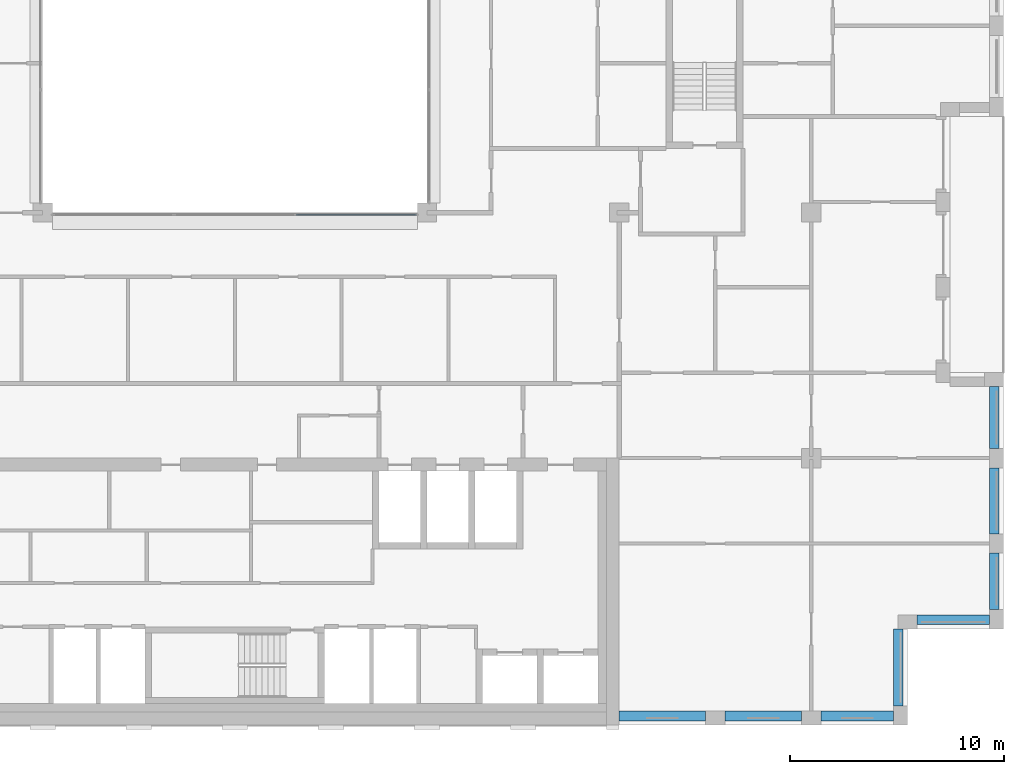
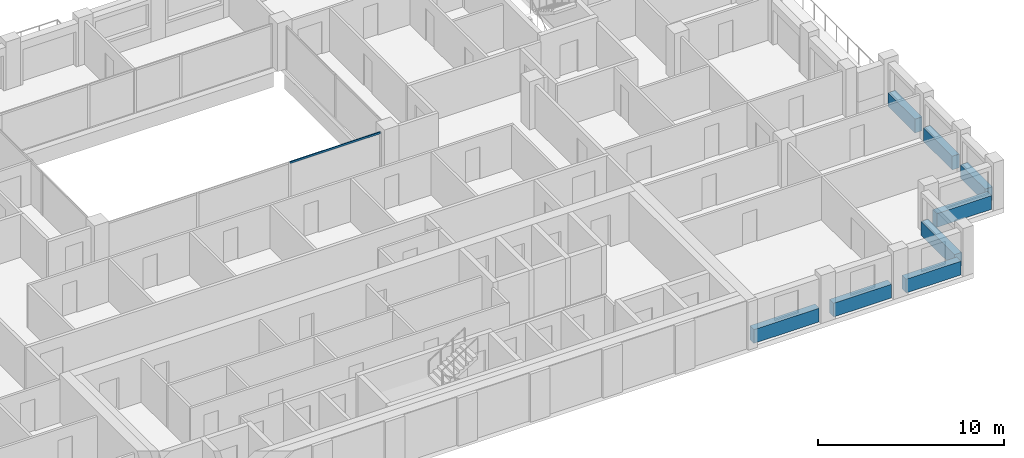
# One storey, part 3 of 15: 8 beams, 1 member, 1 element without a shape of its own.
"""IFC4 building model written with IfcOpenShell, lengths in metres."""

import ifcopenshell
import ifcopenshell.guid

model = None  # the IFC model being written
_history = None  # IfcOwnerHistory: only IFC2X3 demands one
_inside = {}  # id of a spatial element -> (the spatial element, [elements in it])
_under = {}  # id of a project, library or spatial element -> (it, [spatial elements below it])
_declared = {}  # id of a project -> (the project, [libraries it declares])
_typed = {}  # id of a type object -> (the type object, [elements of that type])
_made_of = {}  # id of a material, layer set ... -> (it, [elements and type objects made of it])


def new_model(schema):
    """Start an empty IFC model of exactly this schema.

    Asked for "IFC4X3", IfcOpenShell would pick the latest addendum, in which some entities
    have other attributes; the version numbers below select the first issue.
    IFC2X3 requires an IfcOwnerHistory on every rooted entity: one is made here for all.
    """
    global model, _history
    if schema == "IFC4X3":
        model = ifcopenshell.file(schema_version=(4, 3, 0, 0))
    else:
        model = ifcopenshell.file(schema=schema)
    _inside.clear()
    _under.clear()
    _declared.clear()
    _typed.clear()
    _made_of.clear()
    _history = None
    if model.schema == "IFC2X3":
        org = make("IfcOrganization", Name="unknown")
        user = make(
            "IfcPersonAndOrganization",
            ThePerson=make("IfcPerson", FamilyName="unknown"),
            TheOrganization=org,
        )
        app = make(
            "IfcApplication",
            ApplicationDeveloper=org,
            Version="unknown",
            ApplicationFullName="unknown",
            ApplicationIdentifier="unknown",
        )
        _history = make(
            "IfcOwnerHistory",
            OwningUser=user,
            OwningApplication=app,
            ChangeAction="ADDED",
            CreationDate=0,
        )
    return model


def make(cls, **values):
    """One entity of the class cls with the attributes given. An attribute that is None is left unset."""
    return model.create_entity(
        cls, **{name: value for name, value in values.items() if value is not None}
    )


def rooted(cls, **values):
    """An entity with a GlobalId (a new one), such as an element, a storey or a relation."""
    return make(cls, GlobalId=ifcopenshell.guid.new(), OwnerHistory=_history, **values)


def si_unit(unit_type, name, prefix=None):
    """IfcSIUnit, for example si_unit("LENGTHUNIT", "METRE", prefix="MILLI")."""
    return make("IfcSIUnit", UnitType=unit_type, Prefix=prefix, Name=name)


def assignment(units):
    """IfcUnitAssignment: the units of a project."""
    return None if units is None else make("IfcUnitAssignment", Units=units)


def point(xyz):
    """IfcCartesianPoint."""
    return None if xyz is None else make("IfcCartesianPoint", Coordinates=xyz)


def direction(xyz):
    """IfcDirection."""
    return None if xyz is None else make("IfcDirection", DirectionRatios=xyz)


def frame(location, z_axis=None, x_axis=None):
    """IfcAxis2Placement3D, a coordinate frame: its origin and axes. An axis left out is left unset."""
    return make(
        "IfcAxis2Placement3D",
        Location=point(location),
        Axis=direction(z_axis),
        RefDirection=direction(x_axis),
    )


def frame_2d(location, x_axis=None):
    """IfcAxis2Placement2D, a coordinate frame in the plane: its origin and x axis."""
    return make(
        "IfcAxis2Placement2D", Location=point(location), RefDirection=direction(x_axis)
    )


def origin():
    """The frame at (0, 0, 0) with its axes left unset."""
    return frame((0.0, 0.0, 0.0))


def origin_2d():
    """The frame at (0, 0) in the plane with its x axis left unset."""
    return frame_2d((0.0, 0.0))


def place(relative_to, where):
    """IfcLocalPlacement: puts the frame where relative to a parent placement (None: the world)."""
    return make(
        "IfcLocalPlacement", PlacementRelTo=relative_to, RelativePlacement=where
    )


def context(
    kind, dimensions, precision=None, world=None, true_north=None, identifier=None
):
    """IfcGeometricRepresentationContext, for example the 3D "Model" context."""
    return make(
        "IfcGeometricRepresentationContext",
        ContextIdentifier=identifier,
        ContextType=kind,
        CoordinateSpaceDimension=dimensions,
        Precision=precision,
        WorldCoordinateSystem=world,
        TrueNorth=true_north,
    )


def subcontext(parent, identifier, kind, view, scale=None):
    """IfcGeometricRepresentationSubContext, for example "Body" below "Model"."""
    return make(
        "IfcGeometricRepresentationSubContext",
        ContextIdentifier=identifier,
        ContextType=kind,
        ParentContext=parent,
        TargetScale=scale,
        TargetView=view,
    )


def project(units=None, contexts=None):
    """IfcProject with its units and contexts."""
    return rooted(
        "IfcProject",
        Name="project",
        RepresentationContexts=contexts,
        UnitsInContext=assignment(units),
    )


def spatial(cls, under=None, at=None, **own):
    """A site, building, storey or space (cls), placed at a placement, below another one or the project."""
    s = rooted(cls, ObjectPlacement=at, **own)
    if under is not None:
        _under.setdefault(under.id(), (under, []))[1].append(s)
    return s


def profile(cls, at=None, kind="AREA", **sizes):
    """A parametric profile (cls). Its sizes go by their IFC names, for example OverallWidth=200.0."""
    return make(cls, ProfileType=kind, Position=at, **sizes)


def rectangle(**sizes):
    """IfcRectangleProfileDef."""
    return profile("IfcRectangleProfileDef", **sizes)


def extrude(swept, where, along, depth):
    """IfcExtrudedAreaSolid: the profile swept, set in the frame where, extruded along a direction by depth."""
    return make(
        "IfcExtrudedAreaSolid",
        SweptArea=swept,
        Position=where,
        ExtrudedDirection=direction(along),
        Depth=depth,
    )


def shape(context_of_items, identifier, shape_type, items):
    """IfcShapeRepresentation: the items that make up one representation, for example the "Body"."""
    return make(
        "IfcShapeRepresentation",
        ContextOfItems=context_of_items,
        RepresentationIdentifier=identifier,
        RepresentationType=shape_type,
        Items=items,
    )


def material(Name=None, Category=None):
    """IfcMaterial."""
    return make("IfcMaterial", Name=Name, Category=Category)


def layer(
    of_material, thickness, ventilated=None, Name=None, Category=None, Priority=None
):
    """IfcMaterialLayer: one layer of a wall or slab, of a material (None: an air gap)."""
    return make(
        "IfcMaterialLayer",
        Material=of_material,
        LayerThickness=thickness,
        IsVentilated=ventilated,
        Name=Name,
        Category=Category,
        Priority=Priority,
    )


def layer_set(layers, Name=None):
    """IfcMaterialLayerSet."""
    return make("IfcMaterialLayerSet", MaterialLayers=layers, LayerSetName=Name)


def material_profile(
    of_material, cross_section, Name=None, Category=None, Priority=None
):
    """IfcMaterialProfile: a cross section and its material."""
    return make(
        "IfcMaterialProfile",
        Name=Name,
        Material=of_material,
        Profile=cross_section,
        Priority=Priority,
        Category=Category,
    )


def profile_set(profiles, Name=None, composite=None):
    """IfcMaterialProfileSet."""
    return make(
        "IfcMaterialProfileSet",
        Name=Name,
        MaterialProfiles=profiles,
        CompositeProfile=composite,
    )


def made_of(thing, what):
    """Note that an element or type object is made of a material, layer set ...; save() writes the relation."""
    if what is not None:
        _made_of.setdefault(what.id(), (what, []))[1].append(thing)
    return thing


def type_object(cls, material=None, **own):
    """A type object (cls), such as IfcWallType, which elements share."""
    return made_of(rooted(cls, **own), material)


def element(
    cls,
    number,
    at=None,
    inside=None,
    cuts=None,
    type_object=None,
    material=None,
    context=None,
    identifier="Body",
    shape_type=None,
    held_by="IfcProductDefinitionShape",
    body=None,
    shapes=None,
    **own,
):
    """One element of the class cls, such as IfcWall. Its Tag is "e" and its number.

    at: its placement. inside: the storey or other place that contains it. cuts: it is an
    opening in that element (IfcRelVoidsElement). A single representation is given by context,
    identifier, shape_type and body (its items); several are given by shapes. held_by: the class
    of the entity that holds the representations. save() writes the other relations.
    """
    e = rooted(cls, Tag="e%d" % number, ObjectPlacement=at, **own)
    if body is not None:
        shapes = [shape(context, identifier, shape_type, body)]
    if shapes is not None:
        e.Representation = make(held_by, Representations=shapes)
    if inside is not None:
        _inside.setdefault(inside.id(), (inside, []))[1].append(e)
    if cuts is not None:
        rooted(
            "IfcRelVoidsElement", RelatingBuildingElement=cuts, RelatedOpeningElement=e
        )
    if type_object is not None:
        _typed.setdefault(type_object.id(), (type_object, []))[1].append(e)
    return made_of(e, material)


def aggregate(whole, parts):
    """IfcRelAggregates: a whole, such as a stair, and the parts it consists of."""
    return rooted("IfcRelAggregates", RelatingObject=whole, RelatedObjects=parts)


def save(model, path):
    """Write the relations noted so far, then the file.

    IfcRelAggregates (storeys below a building ...), IfcRelContainedInSpatialStructure (elements
    in a storey), IfcRelDefinesByType, IfcRelAssociatesMaterial and IfcRelDeclares: one each for
    every whole, place, type object, material and project.
    """
    for whole, parts in _under.values():
        aggregate(whole, parts)
    for where, things in _inside.values():
        rooted(
            "IfcRelContainedInSpatialStructure",
            RelatedElements=things,
            RelatingStructure=where,
        )
    for kind, things in _typed.values():
        rooted("IfcRelDefinesByType", RelatedObjects=things, RelatingType=kind)
    for what, things in _made_of.values():
        rooted("IfcRelAssociatesMaterial", RelatedObjects=things, RelatingMaterial=what)
    for by, libraries in _declared.values():
        rooted("IfcRelDeclares", RelatingContext=by, RelatedDefinitions=libraries)
    model.write(path)


model = new_model("IFC4")

# Units and contexts
model_context = context("Model", 3, precision=1e-05, world=origin(), true_north=direction((0.0, 1.0)))
body_context = subcontext(model_context, "Body", "Model", "MODEL_VIEW")
ifc_project = project(units=[si_unit("LENGTHUNIT", "METRE"), si_unit("AREAUNIT", "SQUARE_METRE"), si_unit("VOLUMEUNIT", "CUBIC_METRE"), si_unit("PLANEANGLEUNIT", "RADIAN"), si_unit("MASSUNIT", "GRAM", prefix="KILO")], contexts=[model_context])

# Site, building, storey
site_placement = place(None, origin())
site = spatial("IfcSite", under=ifc_project, at=site_placement, CompositionType="ELEMENT")
building_placement = place(site_placement, origin())
building = spatial("IfcBuilding", under=site, at=building_placement, Name="Brigalow Station Residences", CompositionType="ELEMENT")
storey_placement = place(building_placement, frame((0.0, 0.0, 210.60009765625)))
storey = spatial("IfcBuildingStorey", under=building, at=storey_placement, Name="L60", CompositionType="ELEMENT", Elevation=210.60009765625)

# Curtain wall, member
ifc_material_1 = material(Name="Aluminium", Category="aluminium")
ifc_layer = layer(ifc_material_1, 0.14990234375)
ifc_layer_set = layer_set([ifc_layer], Name="ATRIUM FIRE-RATED GLAZING CURTAIN WALL")
curtain_wall_type = type_object("IfcCurtainWallType", Name="ATRIUM FIRE-RATED GLAZING CURTAIN WALL", PredefinedType="NOTDEFINED", material=ifc_layer_set)
curtain_wall_placement = place(storey_placement, origin())
curtain_wall = element("IfcCurtainWall", 1, at=curtain_wall_placement, inside=storey, type_object=curtain_wall_type, Name="L60/cw/atrium-S", PredefinedType="NOTDEFINED")
ifc_material_2 = material(Name="Aluminium", Category="aluminium")
ifc_material_profile_1 = material_profile(ifc_material_2, rectangle(XDim=0.06005859375, YDim=0.1201171875, at=origin_2d()), Name="ATRIUM FIRE-RATED GLAZING TRANSOM 60x120")
ifc_profile_set_1 = profile_set([ifc_material_profile_1], Name="Aluminium")
member_type = type_object("IfcMemberType", Name="ATRIUM FIRE-RATED GLAZING TRANSOM 60x120", PredefinedType="USERDEFINED", material=ifc_profile_set_1)
member_placement = place(storey_placement, frame((38.8798828125, 23.89990234375, 2.7998046875), z_axis=(1.0, 0.0, 0.0), x_axis=(0.0, 1.0, 0.0)))
member = element("IfcMember", 2, at=member_placement, type_object=member_type, Name="L60/cw/atrium-S/T02-00", ObjectType="TRANSOM", PredefinedType="USERDEFINED", context=body_context, shape_type="SweptSolid", body=[
    extrude(rectangle(XDim=0.06005859375, YDim=0.1201171875, at=origin_2d()), origin(), (0.0, 0.0, 1.0), 5.610107421875),
])
aggregate(curtain_wall, [member])

# Beams
ifc_material_3 = material(Name="Concrete C50", Category="concrete")
ifc_material_profile_2 = material_profile(ifc_material_3, rectangle(XDim=0.449951171875, YDim=0.89990234375, at=origin_2d()), Name="RC450x900")
ifc_profile_set_2 = profile_set([ifc_material_profile_2], Name="Concrete C50")
beam_type = type_object("IfcBeamType", Name="SPANDREL BEAM 450x900 C50", PredefinedType="SPANDREL", material=ifc_profile_set_2)
beam_1_placement = place(storey_placement, frame((54.0, 0.425048828125, 0.449951171875), z_axis=(1.0, 0.0, 0.0), x_axis=(0.0, 1.0, 0.0)))
element("IfcBeam", 3, at=beam_1_placement, inside=storey, type_object=beam_type, Name="L60/spandrel/W-L60-3", PredefinedType="SPANDREL", context=body_context, shape_type="SweptSolid", body=[
    extrude(rectangle(XDim=0.449951171875, YDim=0.89990234375, at=origin_2d()), origin(), (0.0, 0.0, 1.0), 4.050048828125),
])
beam_2_placement = place(storey_placement, frame((58.949951171875, 0.425048828125, 0.449951171875), z_axis=(1.0, 0.0, 0.0), x_axis=(0.0, 1.0, 0.0)))
element("IfcBeam", 4, at=beam_2_placement, inside=storey, type_object=beam_type, Name="L60/spandrel/W-L60-4", PredefinedType="SPANDREL", context=body_context, shape_type="SweptSolid", body=[
    extrude(rectangle(XDim=0.449951171875, YDim=0.89990234375, at=origin_2d()), origin(), (0.0, 0.0, 1.0), 3.60009765625),
])
beam_3_placement = place(storey_placement, frame((63.449951171875, 0.425048828125, 0.449951171875), z_axis=(1.0, 0.0, 0.0), x_axis=(0.0, 1.0, 0.0)))
element("IfcBeam", 5, at=beam_3_placement, inside=storey, type_object=beam_type, Name="L60/spandrel/W-L60-5", PredefinedType="SPANDREL", context=body_context, shape_type="SweptSolid", body=[
    extrude(rectangle(XDim=0.449951171875, YDim=0.89990234375, at=origin_2d()), origin(), (0.0, 0.0, 1.0), 3.400146484375),
])
beam_4_placement = place(storey_placement, frame((67.074951171875, 0.89990234375, 0.449951171875), z_axis=(0.0, 1.0, 0.0), x_axis=(-1.0, 0.0, 0.0)))
element("IfcBeam", 6, at=beam_4_placement, inside=storey, type_object=beam_type, Name="L60/spandrel/W-L60-6", PredefinedType="SPANDREL", context=body_context, shape_type="SweptSolid", body=[
    extrude(rectangle(XDim=0.449951171875, YDim=0.89990234375, at=origin_2d()), origin(), (0.0, 0.0, 1.0), 3.60009765625),
])
beam_5_placement = place(storey_placement, frame((67.949951171875, 4.925048828125, 0.449951171875), z_axis=(1.0, 0.0, 0.0), x_axis=(0.0, 1.0, 0.0)))
element("IfcBeam", 7, at=beam_5_placement, inside=storey, type_object=beam_type, Name="L60/spandrel/W-L60-7", PredefinedType="SPANDREL", context=body_context, shape_type="SweptSolid", body=[
    extrude(rectangle(XDim=0.449951171875, YDim=0.89990234375, at=origin_2d()), origin(), (0.0, 0.0, 1.0), 3.400146484375),
])
beam_6_placement = place(storey_placement, frame((71.574951171875, 5.39990234375, 0.449951171875), z_axis=(0.0, 1.0, 0.0), x_axis=(-1.0, 0.0, 0.0)))
element("IfcBeam", 8, at=beam_6_placement, inside=storey, type_object=beam_type, Name="L60/spandrel/W-L60-8", PredefinedType="SPANDREL", context=body_context, shape_type="SweptSolid", body=[
    extrude(rectangle(XDim=0.449951171875, YDim=0.89990234375, at=origin_2d()), origin(), (0.0, 0.0, 1.0), 2.650146484375),
])
beam_7_placement = place(storey_placement, frame((71.574951171875, 8.949951171875, 0.449951171875), z_axis=(0.0, 1.0, 0.0), x_axis=(-1.0, 0.0, 0.0)))
element("IfcBeam", 9, at=beam_7_placement, inside=storey, type_object=beam_type, Name="L60/spandrel/W-L60-9", PredefinedType="SPANDREL", context=body_context, shape_type="SweptSolid", body=[
    extrude(rectangle(XDim=0.449951171875, YDim=0.89990234375, at=origin_2d()), origin(), (0.0, 0.0, 1.0), 3.10009765625),
])
beam_8_placement = place(storey_placement, frame((71.574951171875, 12.949951171875, 0.449951171875), z_axis=(0.0, 1.0, 0.0), x_axis=(-1.0, 0.0, 0.0)))
element("IfcBeam", 10, at=beam_8_placement, inside=storey, type_object=beam_type, Name="L60/spandrel/W-L60-10", PredefinedType="SPANDREL", context=body_context, shape_type="SweptSolid", body=[
    extrude(rectangle(XDim=0.449951171875, YDim=0.89990234375, at=origin_2d()), origin(), (0.0, 0.0, 1.0), 2.900146484375),
])

save(model, "model.ifc")
